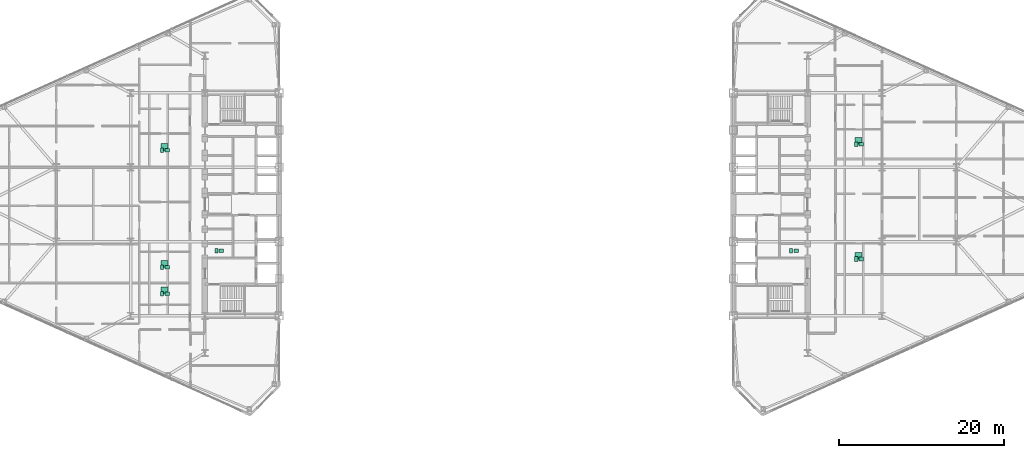
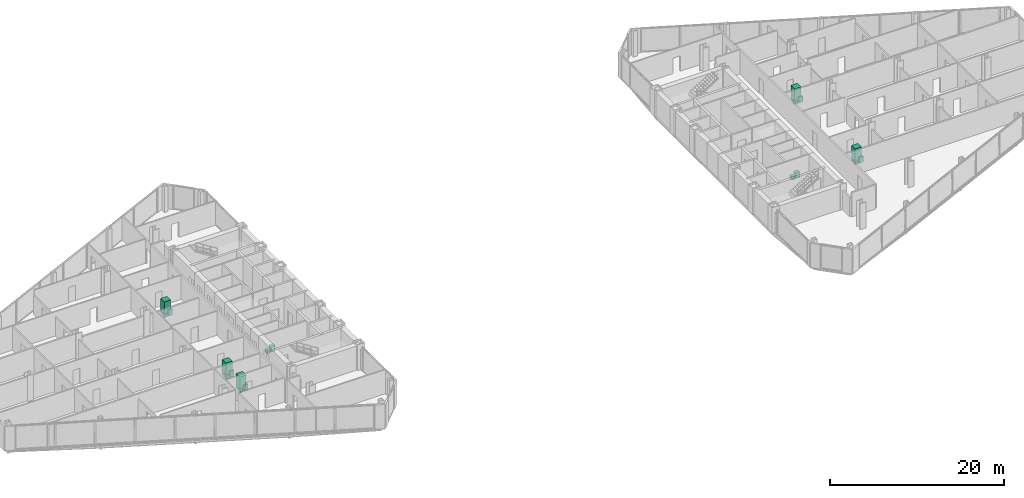
# One storey, part 27 of 27: 19 sanitary terminals.
"""IFC4 building model written with IfcOpenShell, lengths in metres."""

from ifc_helpers import new_model, si_unit, direction, frame, origin, origin_2d, place, context, subcontext, project, spatial, rectangle, extrude, source, transform, mapped, material, type_object, type_shapes, element, save


model = new_model("IFC4")

# Units and contexts
model_context = context("Model", 3, precision=1e-05, world=origin(), true_north=direction((0.0, 1.0)))
body_context = subcontext(model_context, "Body", "Model", "MODEL_VIEW")
ifc_project = project(units=[si_unit("LENGTHUNIT", "METRE"), si_unit("AREAUNIT", "SQUARE_METRE"), si_unit("VOLUMEUNIT", "CUBIC_METRE"), si_unit("PLANEANGLEUNIT", "RADIAN"), si_unit("MASSUNIT", "GRAM", prefix="KILO")], contexts=[model_context])

# Site, building, storey
site_placement = place(None, origin())
site = spatial("IfcSite", under=ifc_project, at=site_placement, CompositionType="ELEMENT")
building_placement = place(site_placement, origin())
building = spatial("IfcBuilding", under=site, at=building_placement, Name="Seokmaru Belvedere", CompositionType="ELEMENT")
storey_placement = place(building_placement, frame((0.0, 0.0, 76.5)))
storey = spatial("IfcBuildingStorey", under=building, at=storey_placement, Name="L20", CompositionType="ELEMENT", Elevation=76.5)

# Sanitary terminals
ifc_material_1 = material(Name="Vitreous China Sanitaryware")
sanitary_terminal_type_1 = type_object("IfcSanitaryTerminalType", Name="Wall-Hung Vitreous China WC Pan", PredefinedType="TOILETPAN", material=ifc_material_1)
shared_shape_1 = source(origin(), body_context, "Body", "SweptSolid", [
    extrude(rectangle(XDim=0.3798828125, YDim=0.56005859375, at=origin_2d()), origin(), (0.0, 0.0, 1.0), 0.419921875),
])
type_shapes(sanitary_terminal_type_1, [shared_shape_1])
for number, where, z_axis, x_axis, name in (
    (1, (-35.10009765625, -5.625, 0.0), (0.0, 0.0, 1.0), (1.0, 0.0, 0.0), "L20 Vitreous China WC 0114"),
    (2, (34.5, -5.625, 0.0), (0.0, 0.0, 1.0), (1.0, 0.0, 0.0), "L20 Vitreous China WC 0115"),
    (3, (-41.675048828125, -10.822021484375, 0.0), (0.0, 0.0, 1.0), (1.0, 0.0, 0.0), "L20 Vitreous China WC 0116"),
    (4, (-41.675048828125, -7.611083984375, 0.0), (0.0, 0.0, 1.0), (1.0, 0.0, 0.0), "L20 Vitreous China WC 0117"),
    (5, (-41.675048828125, 6.5390625, 0.0), (0.0, 0.0, 1.0), (1.0, 0.0, 0.0), "L20 Vitreous China WC 0118"),
    (6, (42.375, -6.611083984375, 0.0), (0.0, 0.0, 1.0), (1.0, 0.0, 0.0), "L20 Vitreous China WC 0119"),
    (7, (42.375, 7.2890625, 0.0), (0.0, 0.0, 1.0), (1.0, 0.0, 0.0), "L20 Vitreous China WC 0120"),
):
    element("IfcSanitaryTerminal", number, at=place(storey_placement, frame(where, z_axis=z_axis, x_axis=x_axis)), inside=storey, type_object=sanitary_terminal_type_1, Name=name, PredefinedType="TOILETPAN", context=body_context, shape_type="MappedRepresentation", body=[
        mapped(shared_shape_1, transform((0.0, 0.0, 0.0), scale=1.0)),
    ])
sanitary_terminal_type_2 = type_object("IfcSanitaryTerminalType", Name="Countertop Ceramic Washhand Basin", PredefinedType="WASHHANDBASIN", material=ifc_material_1)
shared_shape_2 = source(origin(), body_context, "Body", "SweptSolid", [
    extrude(rectangle(XDim=0.550048828125, YDim=0.449951171875, at=origin_2d()), origin(), (0.0, 0.0, 1.0), 0.820068359375),
])
type_shapes(sanitary_terminal_type_2, [shared_shape_2])
for number, where, z_axis, x_axis, name in (
    (8, (-34.5, -5.625, 0.0), (0.0, 0.0, 1.0), (1.0, 0.0, 0.0), "L20 Ceramic Washhand Basin 0114"),
    (9, (35.10009765625, -5.625, 0.0), (0.0, 0.0, 1.0), (1.0, 0.0, 0.0), "L20 Ceramic Washhand Basin 0115"),
    (10, (-41.074951171875, -10.822021484375, 0.0), (0.0, 0.0, 1.0), (1.0, 0.0, 0.0), "L20 Ceramic Washhand Basin 0116"),
    (11, (-41.074951171875, -7.611083984375, 0.0), (0.0, 0.0, 1.0), (1.0, 0.0, 0.0), "L20 Ceramic Washhand Basin 0117"),
    (12, (-41.074951171875, 6.5390625, 0.0), (0.0, 0.0, 1.0), (1.0, 0.0, 0.0), "L20 Ceramic Washhand Basin 0118"),
    (13, (42.97509765625, -6.611083984375, 0.0), (0.0, 0.0, 1.0), (1.0, 0.0, 0.0), "L20 Ceramic Washhand Basin 0119"),
    (14, (42.97509765625, 7.2890625, 0.0), (0.0, 0.0, 1.0), (1.0, 0.0, 0.0), "L20 Ceramic Washhand Basin 0120"),
):
    element("IfcSanitaryTerminal", number, at=place(storey_placement, frame(where, z_axis=z_axis, x_axis=x_axis)), inside=storey, type_object=sanitary_terminal_type_2, Name=name, PredefinedType="WASHHANDBASIN", context=body_context, shape_type="MappedRepresentation", body=[
        mapped(shared_shape_2, transform((0.0, 0.0, 0.0), scale=1.0)),
    ])
ifc_material_2 = material(Name="Stainless Steel 316", Category="steel")
sanitary_terminal_type_3 = type_object("IfcSanitaryTerminalType", Name="Walk-In Thermostatic Rain Shower Enclosure", PredefinedType="SHOWER", material=ifc_material_2)
shared_shape_3 = source(origin(), body_context, "Body", "SweptSolid", [
    extrude(rectangle(XDim=0.85009765625, YDim=0.85009765625, at=origin_2d()), origin(), (0.0, 0.0, 1.0), 2.050048828125),
])
type_shapes(sanitary_terminal_type_3, [shared_shape_3])
for number, where, z_axis, x_axis, name in (
    (15, (-41.375, -10.44189453125, 0.0), (0.0, 0.0, 1.0), (1.0, 0.0, 0.0), "L20 Walk-In Shower 0116"),
    (16, (-41.375, -7.23095703125, 0.0), (0.0, 0.0, 1.0), (1.0, 0.0, 0.0), "L20 Walk-In Shower 0117"),
    (17, (-41.375, 6.9189453125, 0.0), (0.0, 0.0, 1.0), (1.0, 0.0, 0.0), "L20 Walk-In Shower 0118"),
    (18, (42.675048828125, -6.23095703125, 0.0), (0.0, 0.0, 1.0), (1.0, 0.0, 0.0), "L20 Walk-In Shower 0119"),
    (19, (42.675048828125, 7.6689453125, 0.0), (0.0, 0.0, 1.0), (1.0, 0.0, 0.0), "L20 Walk-In Shower 0120"),
):
    element("IfcSanitaryTerminal", number, at=place(storey_placement, frame(where, z_axis=z_axis, x_axis=x_axis)), inside=storey, type_object=sanitary_terminal_type_3, Name=name, PredefinedType="SHOWER", context=body_context, shape_type="MappedRepresentation", body=[
        mapped(shared_shape_3, transform((0.0, 0.0, 0.0), scale=1.0)),
    ])

save(model, "model.ifc")
